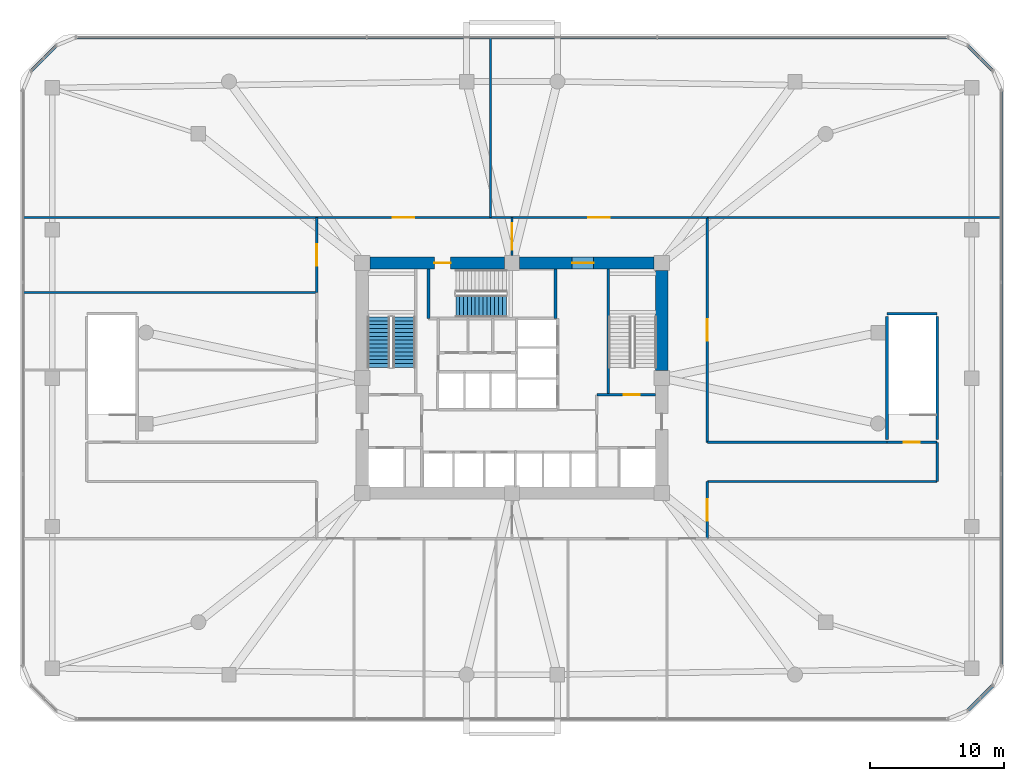
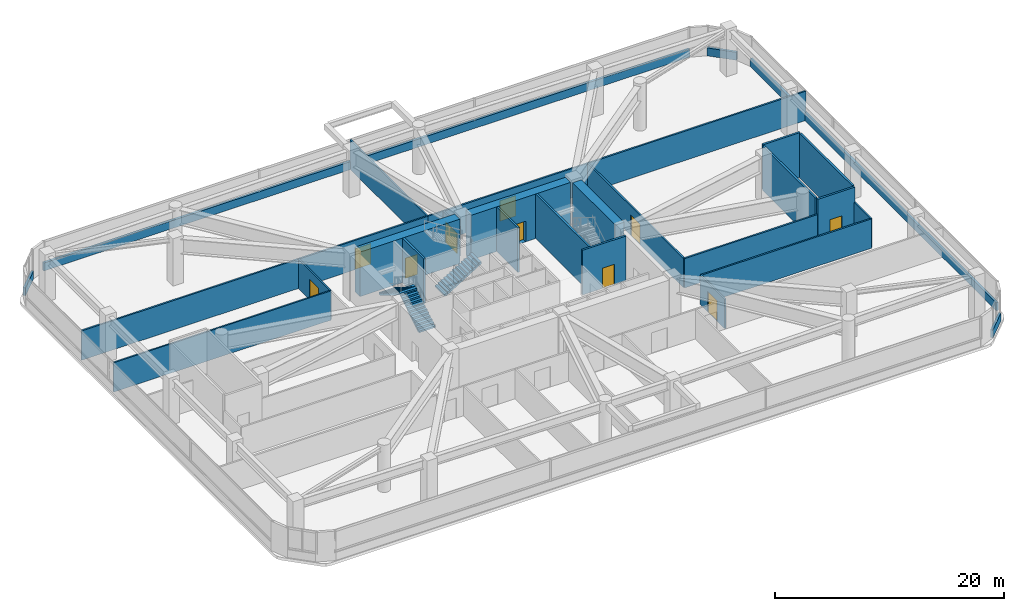
# One storey, part 18 of 21: 29 walls, 10 doors, 3 stair flights, 10 openings, 2 elements without a shape of their own.
"""IFC4 building model written with IfcOpenShell, lengths in metres."""

from ifc_helpers import new_model, si_unit, derived_unit, direction, frame, frame_2d, origin, place, context, subcontext, project, spatial, polyline, rectangle, outline, extrude, material, layer, layer_set, type_object, element, fill, aggregate, save


model = new_model("IFC4")

# Units and contexts
model_context = context("Model", 3, precision=1e-05, world=origin(), true_north=direction((0.0, 1.0)))
body_context = subcontext(model_context, "Body", "Model", "MODEL_VIEW")
ifc_project = project(units=[si_unit("LENGTHUNIT", "METRE"), si_unit("AREAUNIT", "SQUARE_METRE"), si_unit("VOLUMEUNIT", "CUBIC_METRE"), si_unit("PLANEANGLEUNIT", "RADIAN"), si_unit("MASSUNIT", "GRAM", prefix="KILO"), derived_unit("THERMALTRANSMITTANCEUNIT", [(si_unit("POWERUNIT", "WATT"), 1), (si_unit("LENGTHUNIT", "METRE"), -2), (si_unit("THERMODYNAMICTEMPERATUREUNIT", "KELVIN"), -1)])], contexts=[model_context])

# Site, building, storey
site_placement = place(None, origin())
site = spatial("IfcSite", under=ifc_project, at=site_placement, CompositionType="ELEMENT")
building_placement = place(site_placement, origin())
building = spatial("IfcBuilding", under=site, at=building_placement, Name="Koralith Skygarden Medical Center", CompositionType="ELEMENT")
storey_placement = place(building_placement, frame((0.0, 0.0, 18.89990234375)))
storey = spatial("IfcBuildingStorey", under=building, at=storey_placement, Name="L04", CompositionType="ELEMENT", Elevation=18.89990234375)

# Walls
ifc_material_1 = material(Name="Gypsum Board Partition")
ifc_layer_1 = layer(ifc_material_1, 0.14990234375)
ifc_layer_set_1 = layer_set([ifc_layer_1], Name="Gypsum Board Partition")
wall_type_1 = type_object("IfcWallType", Name="Clinical Acoustic Partition 150", PredefinedType="PARTITIONING", material=ifc_layer_set_1)
wall_1_placement = place(storey_placement, frame((35.39990234375, 37.909912109375, 0.0), z_axis=(0.0, 0.0, 1.0), x_axis=(0.0, 1.0, 0.0)))
element("IfcWall", 1, at=wall_1_placement, inside=storey, type_object=wall_type_1, Name="L04 Clinical Acoustic Partition 150 W-PDPART-L04-N-1", PredefinedType="PARTITIONING", context=body_context, shape_type="SweptSolid", body=[
    extrude(rectangle(XDim=13.4501953125, YDim=0.14990234375, at=frame_2d((6.72509765625, 0.0))), origin(), (0.0, 0.0, 1.0), 3.130126953125),
])
wall_2_placement = place(storey_placement, frame((22.389892578125, 32.300048828125, 0.0), z_axis=(0.0, 0.0, 1.0), x_axis=(-1.0, 0.0, 0.0)))
element("IfcWall", 2, at=wall_2_placement, inside=storey, type_object=wall_type_1, Name="L04 Clinical Acoustic Partition 150 W-PDPART-L04-W-NF2", PredefinedType="PARTITIONING", context=body_context, shape_type="SweptSolid", body=[
    extrude(rectangle(XDim=21.949951171875, YDim=0.14990234375, at=frame_2d((10.97509765625, 0.0))), origin(), (0.0, 0.0, 1.0), 3.130126953125),
])
ifc_layer_2 = layer(ifc_material_1, 0.1650390625)
ifc_layer_set_2 = layer_set([ifc_layer_2], Name="Gypsum Board Partition")
wall_type_2 = type_object("IfcWallType", Name="Clinical Corridor Partition 165", PredefinedType="PARTITIONING", material=ifc_layer_set_2)
for number, where, z_axis, x_axis, name in (
    (3, (0.43994140625, 37.909912109375, 0.0), (0.0, 0.0, 1.0), (1.0, 0.0, 0.0), "L04 Clinical Corridor Partition 165 W-WB-L04-NW"),
    (4, (51.610107421875, 37.909912109375, 0.0), (0.0, 0.0, 1.0), (1.0, 0.0, 0.0), "L04 Clinical Corridor Partition 165 W-WB-L04-NE"),
):
    element("IfcWall", number, at=place(storey_placement, frame(where, z_axis=z_axis, x_axis=x_axis)), inside=storey, type_object=wall_type_2, Name=name, PredefinedType="PARTITIONING", context=body_context, shape_type="SweptSolid", body=[
        extrude(rectangle(XDim=21.949951171875, YDim=0.1650390625, at=frame_2d((10.97509765625, 0.0))), origin(), (0.0, 0.0, 1.0), 3.130126953125),
    ])
wall_3_placement = place(storey_placement, frame((51.610107421875, 18.169921875, 0.0), z_axis=(0.0, 0.0, 1.0), x_axis=(1.0, 0.0, 0.0)))
element("IfcWall", 5, at=wall_3_placement, inside=storey, type_object=wall_type_2, Name="L04 Clinical Corridor Partition 165 W-PARM-L04-ES", PredefinedType="PARTITIONING", context=body_context, shape_type="SweptSolid", body=[
    extrude(rectangle(XDim=17.18994140625, YDim=0.1650390625, at=frame_2d((8.594970703125, 0.0))), origin(), (0.0, 0.0, 1.0), 3.130126953125),
])
wall_4_placement = place(storey_placement, frame((68.800048828125, 18.169921875, 0.0), z_axis=(0.0, 0.0, 1.0), x_axis=(0.0, 1.0, 0.0)))
element("IfcWall", 6, at=wall_4_placement, inside=storey, type_object=wall_type_2, Name="L04 Clinical Corridor Partition 165 W-PARM-L04-EE", PredefinedType="PARTITIONING", context=body_context, shape_type="SweptSolid", body=[
    extrude(rectangle(XDim=2.93017578125, YDim=0.1650390625, at=frame_2d((1.465087890625, 0.0))), origin(), (0.0, 0.0, 1.0), 3.130126953125),
])
wall_5_placement = place(storey_placement, frame((51.610107421875, 21.10009765625, 0.0), z_axis=(0.0, 0.0, 1.0), x_axis=(1.0, 0.0, 0.0)))
element("IfcWall", 7, at=wall_5_placement, inside=storey, type_object=wall_type_2, Name="L04 Clinical Corridor Partition 165 W-PARM-L04-EN", PredefinedType="PARTITIONING", context=body_context, shape_type="SweptSolid", body=[
    extrude(rectangle(XDim=13.43994140625, YDim=0.1650390625, at=frame_2d((6.719970703125, 0.0))), origin(), (0.0, 0.0, 1.0), 3.130126953125),
])

# Wall, opening, door
wall_6_placement = place(storey_placement, frame((22.389892578125, 37.909912109375, 0.0), z_axis=(0.0, 0.0, 1.0), x_axis=(1.0, 0.0, 0.0)))
wall_6 = element("IfcWall", 8, at=wall_6_placement, inside=storey, type_object=wall_type_2, Name="L04 Clinical Corridor Partition 165 W-PDCOR-L04-N-1", PredefinedType="PARTITIONING", context=body_context, shape_type="SweptSolid", body=[
    extrude(rectangle(XDim=13.010009765625, YDim=0.1650390625, at=frame_2d((6.5048828125, 0.0))), origin(), (0.0, 0.0, 1.0), 3.130126953125),
])
opening_1_placement = place(wall_6_placement, frame((5.705078125, 0.0, 0.0)))
opening_1 = element("IfcOpeningElement", 9, at=opening_1_placement, cuts=wall_6, Name="Opening D-DBL", PredefinedType="OPENING", context=body_context, shape_type="SweptSolid", body=[
    extrude(rectangle(XDim=1.60009765625, YDim=2.199951171875, at=frame_2d((0.800048828125, 1.10009765625))), frame((0.0, 0.092529296875, 0.0), z_axis=(0.0, -1.0, 0.0), x_axis=(1.0, 0.0, 0.0)), (0.0, 0.0, 1.0), 0.18505859375),
])
ifc_material_2 = material(Name="Aluminium 6063-T6", Category="aluminium")
door_type_1 = type_object("IfcDoorType", Name="Double Clinical Suite Door D-DBL 1600", OperationType="NOTDEFINED", PredefinedType="DOOR", material=ifc_material_2)
door_1_placement = place(opening_1_placement, origin())
door_1 = element("IfcDoor", 10, at=door_1_placement, inside=storey, type_object=door_type_1, Name="L04 Hybrid Image-Guided Operating Hall 1 Door", OperationType="DOUBLE_DOOR_SINGLE_SWING", OverallHeight=2.199951171875, OverallWidth=1.60009765625, PredefinedType="DOOR", context=body_context, shape_type="SweptSolid", body=[
    extrude(rectangle(XDim=1.60009765625, YDim=2.199951171875, at=frame_2d((0.800048828125, 1.10009765625))), frame((0.0, 0.02490234375, 0.0), z_axis=(0.0, -1.0, 0.0), x_axis=(1.0, 0.0, 0.0)), (0.0, 0.0, 1.0), 0.050048828125),
])
fill(opening_1, door_1)

wall_7_placement = place(storey_placement, frame((35.39990234375, 37.909912109375, 0.0), z_axis=(0.0, 0.0, 1.0), x_axis=(1.0, 0.0, 0.0)))
wall_7 = element("IfcWall", 11, at=wall_7_placement, inside=storey, type_object=wall_type_2, Name="L04 Clinical Corridor Partition 165 W-PDCOR-L04-N-2", PredefinedType="PARTITIONING", context=body_context, shape_type="SweptSolid", body=[
    extrude(rectangle(XDim=16.210205078125, YDim=0.1650390625, at=frame_2d((8.10498046875, 0.0))), origin(), (0.0, 0.0, 1.0), 3.130126953125),
])
opening_2_placement = place(wall_7_placement, frame((7.304931640625, 0.0, 0.0)))
opening_2 = element("IfcOpeningElement", 12, at=opening_2_placement, cuts=wall_7, Name="Opening D-DBL", PredefinedType="OPENING", context=body_context, shape_type="SweptSolid", body=[
    extrude(rectangle(XDim=1.60009765625, YDim=2.199951171875, at=frame_2d((0.800048828125, 1.10009765625))), frame((0.0, 0.092529296875, 0.0), z_axis=(0.0, -1.0, 0.0), x_axis=(1.0, 0.0, 0.0)), (0.0, 0.0, 1.0), 0.18505859375),
])
door_2_placement = place(opening_2_placement, origin())
door_2 = element("IfcDoor", 13, at=door_2_placement, inside=storey, type_object=door_type_1, Name="L04 Hybrid Image-Guided Operating Hall 2 Door", OperationType="DOUBLE_DOOR_SINGLE_SWING", OverallHeight=2.199951171875, OverallWidth=1.60009765625, PredefinedType="DOOR", context=body_context, shape_type="SweptSolid", body=[
    extrude(rectangle(XDim=1.60009765625, YDim=2.199951171875, at=frame_2d((0.800048828125, 1.10009765625))), frame((0.0, 0.02490234375, 0.0), z_axis=(0.0, -1.0, 0.0), x_axis=(1.0, 0.0, 0.0)), (0.0, 0.0, 1.0), 0.050048828125),
])
fill(opening_2, door_2)

wall_8_placement = place(storey_placement, frame((22.389892578125, 32.300048828125, 0.0), z_axis=(0.0, 0.0, 1.0), x_axis=(0.0, 1.0, 0.0)))
wall_8 = element("IfcWall", 14, at=wall_8_placement, inside=storey, type_object=wall_type_2, Name="L04 Clinical Corridor Partition 165 W-PDCOR-L04-W-4", PredefinedType="PARTITIONING", context=body_context, shape_type="SweptSolid", body=[
    extrude(rectangle(XDim=5.60986328125, YDim=0.1650390625, at=frame_2d((2.804931640625, 0.0))), origin(), (0.0, 0.0, 1.0), 3.130126953125),
])
opening_3_placement = place(wall_8_placement, frame((2.0048828125, 0.0, 0.0)))
opening_3 = element("IfcOpeningElement", 15, at=opening_3_placement, cuts=wall_8, Name="Opening D-DBL", PredefinedType="OPENING", context=body_context, shape_type="SweptSolid", body=[
    extrude(rectangle(XDim=1.60009765625, YDim=2.199951171875, at=frame_2d((0.800048828125, 1.10009765625))), frame((0.0, 0.092529296875, 0.0), z_axis=(0.0, -1.0, 0.0), x_axis=(1.0, 0.0, 0.0)), (0.0, 0.0, 1.0), 0.18505859375),
])
door_3_placement = place(opening_3_placement, frame((1.60009765625, 0.0, 0.0), z_axis=(0.0, 0.0, 1.0), x_axis=(-1.0, 0.0, 0.0)))
door_3 = element("IfcDoor", 16, at=door_3_placement, inside=storey, type_object=door_type_1, Name="L04 Surgical Pathology Frozen-Section Lab Door", OperationType="DOUBLE_DOOR_SINGLE_SWING", OverallHeight=2.199951171875, OverallWidth=1.60009765625, PredefinedType="DOOR", context=body_context, shape_type="SweptSolid", body=[
    extrude(rectangle(XDim=1.60009765625, YDim=2.199951171875, at=frame_2d((0.800048828125, 1.10009765625))), frame((0.0, 0.02490234375, 0.0), z_axis=(0.0, -1.0, 0.0), x_axis=(1.0, 0.0, 0.0)), (0.0, 0.0, 1.0), 0.050048828125),
])
fill(opening_3, door_3)

wall_9_placement = place(storey_placement, frame((51.610107421875, 13.889892578125, 0.0), z_axis=(0.0, 0.0, 1.0), x_axis=(0.0, 1.0, 0.0)))
wall_9 = element("IfcWall", 17, at=wall_9_placement, inside=storey, type_object=wall_type_2, Name="L04 Clinical Corridor Partition 165 W-PDCOR-L04-E-1", PredefinedType="PARTITIONING", context=body_context, shape_type="SweptSolid", body=[
    extrude(rectangle(XDim=4.280029296875, YDim=0.1650390625, at=frame_2d((2.14013671875, 0.0))), origin(), (0.0, 0.0, 1.0), 3.130126953125),
])
opening_4_placement = place(wall_9_placement, frame((1.340087890625, 0.0, 0.0)))
opening_4 = element("IfcOpeningElement", 18, at=opening_4_placement, cuts=wall_9, Name="Opening D-DBL", PredefinedType="OPENING", context=body_context, shape_type="SweptSolid", body=[
    extrude(rectangle(XDim=1.60009765625, YDim=2.199951171875, at=frame_2d((0.800048828125, 1.10009765625))), frame((0.0, 0.092529296875, 0.0), z_axis=(0.0, -1.0, 0.0), x_axis=(1.0, 0.0, 0.0)), (0.0, 0.0, 1.0), 0.18505859375),
])
door_4_placement = place(opening_4_placement, origin())
door_4 = element("IfcDoor", 19, at=door_4_placement, inside=storey, type_object=door_type_1, Name="L04 General Surgical Operating Room 6 Door", OperationType="DOUBLE_DOOR_SINGLE_SWING", OverallHeight=2.199951171875, OverallWidth=1.60009765625, PredefinedType="DOOR", context=body_context, shape_type="SweptSolid", body=[
    extrude(rectangle(XDim=1.60009765625, YDim=2.199951171875, at=frame_2d((0.800048828125, 1.10009765625))), frame((0.0, 0.02490234375, 0.0), z_axis=(0.0, -1.0, 0.0), x_axis=(1.0, 0.0, 0.0)), (0.0, 0.0, 1.0), 0.050048828125),
])
fill(opening_4, door_4)

wall_10_placement = place(storey_placement, frame((51.610107421875, 21.10009765625, 0.0), z_axis=(0.0, 0.0, 1.0), x_axis=(0.0, 1.0, 0.0)))
wall_10 = element("IfcWall", 20, at=wall_10_placement, inside=storey, type_object=wall_type_2, Name="L04 Clinical Corridor Partition 165 W-PDCOR-L04-E-2", PredefinedType="PARTITIONING", context=body_context, shape_type="SweptSolid", body=[
    extrude(rectangle(XDim=16.809814453125, YDim=0.1650390625, at=frame_2d((8.40478515625, 0.0))), origin(), (0.0, 0.0, 1.0), 3.130126953125),
])
opening_5_placement = place(wall_10_placement, frame((7.60498046875, 0.0, 0.0)))
opening_5 = element("IfcOpeningElement", 21, at=opening_5_placement, cuts=wall_10, Name="Opening D-DBL", PredefinedType="OPENING", context=body_context, shape_type="SweptSolid", body=[
    extrude(rectangle(XDim=1.60009765625, YDim=2.199951171875, at=frame_2d((0.800048828125, 1.10009765625))), frame((0.0, 0.092529296875, 0.0), z_axis=(0.0, -1.0, 0.0), x_axis=(1.0, 0.0, 0.0)), (0.0, 0.0, 1.0), 0.18505859375),
])
door_5_placement = place(opening_5_placement, origin())
door_5 = element("IfcDoor", 22, at=door_5_placement, inside=storey, type_object=door_type_1, Name="L04 Surgical Pre-Operative Holding Ward Door", OperationType="DOUBLE_DOOR_SINGLE_SWING", OverallHeight=2.199951171875, OverallWidth=1.60009765625, PredefinedType="DOOR", context=body_context, shape_type="SweptSolid", body=[
    extrude(rectangle(XDim=1.60009765625, YDim=2.199951171875, at=frame_2d((0.800048828125, 1.10009765625))), frame((0.0, 0.02490234375, 0.0), z_axis=(0.0, -1.0, 0.0), x_axis=(1.0, 0.0, 0.0)), (0.0, 0.0, 1.0), 0.050048828125),
])
fill(opening_5, door_5)

ifc_layer_3 = layer(ifc_material_1, 0.179931640625)
ifc_layer_set_3 = layer_set([ifc_layer_3], Name="Gypsum Board Partition")
wall_type_3 = type_object("IfcWallType", Name="Group I-2 Smoke Barrier Wall 180", PredefinedType="PARTITIONING", material=ifc_layer_set_3)
wall_11_placement = place(storey_placement, frame((37.0, 35.080078125, 0.0), z_axis=(0.0, 0.0, 1.0), x_axis=(0.0, 1.0, 0.0)))
wall_11 = element("IfcWall", 23, at=wall_11_placement, inside=storey, type_object=wall_type_3, Name="L04 Group I-2 Smoke Barrier Wall 180 W-PSMK-L04-N", PredefinedType="PARTITIONING", context=body_context, shape_type="SweptSolid", body=[
    extrude(rectangle(XDim=2.829833984375, YDim=0.179931640625, at=frame_2d((1.4150390625, 0.0))), origin(), (0.0, 0.0, 1.0), 3.130126953125),
])
opening_6_placement = place(wall_11_placement, frame((0.4150390625, 0.0, 0.0)))
opening_6 = element("IfcOpeningElement", 24, at=opening_6_placement, cuts=wall_11, Name="Opening D-SMK", PredefinedType="OPENING", context=body_context, shape_type="SweptSolid", body=[
    extrude(rectangle(XDim=2.0, YDim=2.199951171875, at=frame_2d((1.0, 1.10009765625))), frame((0.0, 0.099853515625, 0.0), z_axis=(0.0, -1.0, 0.0), x_axis=(1.0, 0.0, 0.0)), (0.0, 0.0, 1.0), 0.199951171875),
])
ifc_material_3 = material(Name="Steel ASTM A500 Grade C", Category="steel")
door_type_2 = type_object("IfcDoorType", Name="Cross-Corridor Double Smoke Door FD60S 2000", OperationType="NOTDEFINED", PredefinedType="DOOR", material=ifc_material_3)
door_6_placement = place(opening_6_placement, origin())
door_6 = element("IfcDoor", 25, at=door_6_placement, inside=storey, type_object=door_type_2, Name="L04 N Podium Smoke Door", OperationType="DOUBLE_DOOR_SINGLE_SWING", OverallHeight=2.199951171875, OverallWidth=2.0, PredefinedType="DOOR", context=body_context, shape_type="SweptSolid", body=[
    extrude(rectangle(XDim=2.0, YDim=2.199951171875, at=frame_2d((1.0, 1.10009765625))), frame((0.0, 0.02490234375, 0.0), z_axis=(0.0, -1.0, 0.0), x_axis=(1.0, 0.0, 0.0)), (0.0, 0.0, 1.0), 0.050048828125),
])
fill(opening_6, door_6)

# Walls
ifc_material_4 = material(Name="Warm Oolitic Limestone Cladding", Category="masonry")
ifc_layer_4 = layer(ifc_material_4, 0.239990234375)
ifc_layer_set_4 = layer_set([ifc_layer_4], Name="Warm Oolitic Limestone Cladding")
wall_type_4 = type_object("IfcWallType", Name="Limestone Spandrel Sill Backup Wall 240", PredefinedType="SOLIDWALL", material=ifc_layer_set_4)
wall_12_placement = place(storey_placement, frame((71.072021484375, 1.02099609375, 0.0), z_axis=(0.0, 0.0, 1.0), x_axis=(0.707106781187, 0.707106781187, 0.0)))
element("IfcWall", 26, at=wall_12_placement, inside=storey, type_object=wall_type_4, Name="L04 Sill Spandrel Wall SE", PredefinedType="SOLIDWALL", context=body_context, shape_type="SweptSolid", body=[
    extrude(rectangle(XDim=2.69677734375, YDim=0.239990234375, at=frame_2d((1.348388671875, 0.0))), origin(), (0.0, 0.0, 1.0), 0.85009765625),
])
wall_13_placement = place(storey_placement, frame((73.580078125, 4.37890625, 0.0), z_axis=(0.0, 0.0, 1.0), x_axis=(0.0, 1.0, 0.0)))
element("IfcWall", 27, at=wall_13_placement, inside=storey, type_object=wall_type_4, Name="L04 Sill Spandrel Wall E", PredefinedType="SOLIDWALL", context=body_context, shape_type="SweptSolid", body=[
    extrude(rectangle(XDim=43.0419921875, YDim=0.239990234375, at=frame_2d((21.52099609375, 0.0))), origin(), (0.0, 0.0, 1.0), 0.85009765625),
])
wall_14_placement = place(storey_placement, frame((72.97900390625, 48.8720703125, 0.0), z_axis=(0.0, 0.0, 1.0), x_axis=(-0.707106781187, 0.707106781187, 0.0)))
element("IfcWall", 28, at=wall_14_placement, inside=storey, type_object=wall_type_4, Name="L04 Sill Spandrel Wall NE", PredefinedType="SOLIDWALL", context=body_context, shape_type="SweptSolid", body=[
    extrude(rectangle(XDim=2.69677734375, YDim=0.239990234375, at=frame_2d((1.348388671875, 0.0))), origin(), (0.0, 0.0, 1.0), 0.85009765625),
])
wall_15_placement = place(storey_placement, frame((69.62109375, 51.3798828125, 0.0), z_axis=(0.0, 0.0, 1.0), x_axis=(-1.0, 0.0, 0.0)))
element("IfcWall", 29, at=wall_15_placement, inside=storey, type_object=wall_type_4, Name="L04 Sill Spandrel Wall N", PredefinedType="SOLIDWALL", context=body_context, shape_type="SweptSolid", body=[
    extrude(rectangle(XDim=65.2421875, YDim=0.239990234375, at=frame_2d((32.62109375, 0.0))), origin(), (0.0, 0.0, 1.0), 0.85009765625),
])
wall_16_placement = place(storey_placement, frame((2.927978515625, 50.779052734375, 0.0), z_axis=(0.0, 0.0, 1.0), x_axis=(-0.707106781187, -0.707106781187, 0.0)))
element("IfcWall", 30, at=wall_16_placement, inside=storey, type_object=wall_type_4, Name="L04 Sill Spandrel Wall NW", PredefinedType="SOLIDWALL", context=body_context, shape_type="SweptSolid", body=[
    extrude(rectangle(XDim=2.69677734375, YDim=0.239990234375, at=frame_2d((1.348388671875, 0.0))), origin(), (0.0, 0.0, 1.0), 0.85009765625),
])
ifc_material_5 = material(Name="Concrete C70/85", Category="concrete")
ifc_layer_5 = layer(ifc_material_5, 0.89990234375)
ifc_layer_set_5 = layer_set([ifc_layer_5], Name="Concrete C70/85")
wall_type_5 = type_object("IfcWallType", Name="Lower Core Shear Wall 900", PredefinedType="SHEAR", material=ifc_layer_set_5)
wall_17_placement = place(storey_placement, frame((48.199951171875, 26.465087890625, 0.0), z_axis=(0.0, 0.0, 1.0), x_axis=(0.0, 1.0, 0.0)))
element("IfcWall", 31, at=wall_17_placement, inside=storey, type_object=wall_type_5, Name="L04 Core Shear Wall Segment 4", PredefinedType="SHEAR", context=body_context, shape_type="SweptSolid", body=[
    extrude(rectangle(XDim=7.469970703125, YDim=0.89990234375, at=frame_2d((3.73486328125, 0.0))), origin(), (0.0, 0.0, 1.0), 4.760009765625),
])

# Wall, opening, door
wall_18_placement = place(storey_placement, frame((47.635009765625, 34.5, 0.0), z_axis=(0.0, 0.0, 1.0), x_axis=(-1.0, 0.0, 0.0)))
wall_18 = element("IfcWall", 32, at=wall_18_placement, inside=storey, type_object=wall_type_5, Name="L04 Core Shear Wall Segment 5", PredefinedType="SHEAR", context=body_context, shape_type="SweptSolid", body=[
    extrude(rectangle(XDim=10.070068359375, YDim=0.89990234375, at=frame_2d((5.03515625, 0.0))), origin(), (0.0, 0.0, 1.0), 4.760009765625),
])
opening_7_placement = place(wall_18_placement, frame((4.534912109375, 0.0, 0.0)))
opening_7 = element("IfcOpeningElement", 33, at=opening_7_placement, cuts=wall_18, Name="Opening D-DBL", PredefinedType="OPENING", context=body_context, shape_type="SweptSolid", body=[
    extrude(rectangle(XDim=1.60009765625, YDim=2.199951171875, at=frame_2d((0.800048828125, 1.10009765625))), frame((0.0, 0.4599609375, 0.0), z_axis=(0.0, -1.0, 0.0), x_axis=(1.0, 0.0, 0.0)), (0.0, 0.0, 1.0), 0.919921875),
])
door_7_placement = place(opening_7_placement, frame((1.60009765625, 0.0, 0.0), z_axis=(0.0, 0.0, 1.0), x_axis=(-1.0, 0.0, 0.0)))
door_7 = element("IfcDoor", 34, at=door_7_placement, inside=storey, type_object=door_type_1, Name="L04 North-East Corridor to Elevator Lobby Door", OperationType="DOUBLE_DOOR_SINGLE_SWING", OverallHeight=2.199951171875, OverallWidth=1.60009765625, PredefinedType="DOOR", context=body_context, shape_type="SweptSolid", body=[
    extrude(rectangle(XDim=1.60009765625, YDim=2.199951171875, at=frame_2d((0.800048828125, 1.10009765625))), frame((0.0, 0.02490234375, 0.0), z_axis=(0.0, -1.0, 0.0), x_axis=(1.0, 0.0, 0.0)), (0.0, 0.0, 1.0), 0.050048828125),
])
fill(opening_7, door_7)

wall_19_placement = place(storey_placement, frame((36.43505859375, 34.5, 0.0), z_axis=(0.0, 0.0, 1.0), x_axis=(-1.0, 0.0, 0.0)))
wall_19 = element("IfcWall", 35, at=wall_19_placement, inside=storey, type_object=wall_type_5, Name="L04 Core Shear Wall Segment 6", PredefinedType="SHEAR", context=body_context, shape_type="SweptSolid", body=[
    extrude(rectangle(XDim=10.070068359375, YDim=0.89990234375, at=frame_2d((5.03515625, 0.0))), origin(), (0.0, 0.0, 1.0), 4.760009765625),
])
opening_8_placement = place(wall_19_placement, frame((4.034912109375, 0.0, 0.0)))
opening_8 = element("IfcOpeningElement", 36, at=opening_8_placement, cuts=wall_19, Name="Opening D-ST60", PredefinedType="OPENING", context=body_context, shape_type="SweptSolid", body=[
    extrude(rectangle(XDim=1.199951171875, YDim=2.14990234375, at=frame_2d((0.60009765625, 1.074951171875))), frame((0.0, 0.4599609375, 0.0), z_axis=(0.0, -1.0, 0.0), x_axis=(1.0, 0.0, 0.0)), (0.0, 0.0, 1.0), 0.919921875),
])
door_type_3 = type_object("IfcDoorType", Name="Smokeproof Stair Fire Door FD60S 1200", OperationType="NOTDEFINED", PredefinedType="DOOR", material=ifc_material_3)
door_8_placement = place(opening_8_placement, frame((1.199951171875, 0.0, 0.0), z_axis=(0.0, 0.0, 1.0), x_axis=(-1.0, 0.0, 0.0)))
door_8 = element("IfcDoor", 37, at=door_8_placement, inside=storey, type_object=door_type_3, Name="L04 Exit Stair ST3 Fire Door", OperationType="SINGLE_SWING_LEFT", OverallHeight=2.14990234375, OverallWidth=1.199951171875, PredefinedType="DOOR", context=body_context, shape_type="SweptSolid", body=[
    extrude(rectangle(XDim=1.199951171875, YDim=2.14990234375, at=frame_2d((0.60009765625, 1.074951171875))), frame((0.0, 0.02490234375, 0.0), z_axis=(0.0, -1.0, 0.0), x_axis=(1.0, 0.0, 0.0)), (0.0, 0.0, 1.0), 0.050048828125),
])
fill(opening_8, door_8)

# Wall
ifc_material_6 = material(Name="Concrete C45/55", Category="concrete")
ifc_layer_6 = layer(ifc_material_6, 0.199951171875)
ifc_layer_set_6 = layer_set([ifc_layer_6], Name="Concrete C45/55")
wall_type_6 = type_object("IfcWallType", Name="Structural Stair Shaft Wall 200", PredefinedType="SHEAR", material=ifc_layer_set_6)
wall_20_placement = place(storey_placement, frame((44.199951171875, 24.64990234375, 0.0), z_axis=(0.0, 0.0, 1.0), x_axis=(0.0, 1.0, 0.0)))
element("IfcWall", 38, at=wall_20_placement, inside=storey, type_object=wall_type_6, Name="L04 Structural Stair Shaft Wall 200 W-CORE-L04-ST2-W", PredefinedType="SHEAR", context=body_context, shape_type="SweptSolid", body=[
    extrude(rectangle(XDim=9.400146484375, YDim=0.199951171875, at=frame_2d((4.7001953125, 0.0))), origin(), (0.0, 0.0, 1.0), 4.760009765625),
])

# Wall, opening, door
wall_21_placement = place(storey_placement, frame((43.35009765625, 24.64990234375, 0.0), z_axis=(0.0, 0.0, 1.0), x_axis=(1.0, 0.0, 0.0)))
wall_21 = element("IfcWall", 39, at=wall_21_placement, inside=storey, type_object=wall_type_6, Name="L04 Structural Stair Shaft Wall 200 W-CORE-L04-ST2-S", PredefinedType="SHEAR", context=body_context, shape_type="SweptSolid", body=[
    extrude(rectangle(XDim=4.39990234375, YDim=0.199951171875, at=frame_2d((2.199951171875, 0.0))), origin(), (0.0, 0.0, 1.0), 4.760009765625),
])
opening_9_placement = place(wall_21_placement, frame((2.0, 0.0, 0.0)))
opening_9 = element("IfcOpeningElement", 40, at=opening_9_placement, cuts=wall_21, Name="Opening D-ST60", PredefinedType="OPENING", context=body_context, shape_type="SweptSolid", body=[
    extrude(rectangle(XDim=1.199951171875, YDim=2.14990234375, at=frame_2d((0.60009765625, 1.074951171875))), frame((0.0, 0.10986328125, 0.0), z_axis=(0.0, -1.0, 0.0), x_axis=(1.0, 0.0, 0.0)), (0.0, 0.0, 1.0), 0.219970703125),
])
door_9_placement = place(opening_9_placement, origin())
door_9 = element("IfcDoor", 41, at=door_9_placement, inside=storey, type_object=door_type_3, Name="L04 Exit Stair ST2 Fire Door", OperationType="SINGLE_SWING_RIGHT", OverallHeight=2.14990234375, OverallWidth=1.199951171875, PredefinedType="DOOR", context=body_context, shape_type="SweptSolid", body=[
    extrude(rectangle(XDim=1.199951171875, YDim=2.14990234375, at=frame_2d((0.60009765625, 1.074951171875))), frame((0.0, 0.02490234375, 0.0), z_axis=(0.0, -1.0, 0.0), x_axis=(1.0, 0.0, 0.0)), (0.0, 0.0, 1.0), 0.050048828125),
])
fill(opening_9, door_9)

# Walls
for number, where, z_axis, x_axis, name in (
    (42, (30.75, 30.360107421875, 0.0), (0.0, 0.0, 1.0), (0.0, 1.0, 0.0), "L04 Structural Stair Shaft Wall 200 W-CORE-L04-ST3-W"),
    (43, (40.25, 30.360107421875, 0.0), (0.0, 0.0, 1.0), (0.0, 1.0, 0.0), "L04 Structural Stair Shaft Wall 200 W-CORE-L04-ST3-E"),
):
    element("IfcWall", number, at=place(storey_placement, frame(where, z_axis=z_axis, x_axis=x_axis)), inside=storey, type_object=wall_type_6, Name=name, PredefinedType="SHEAR", context=body_context, shape_type="SweptSolid", body=[
        extrude(rectangle(XDim=3.68994140625, YDim=0.199951171875, at=frame_2d((1.844970703125, 0.0))), origin(), (0.0, 0.0, 1.0), 4.760009765625),
    ])

# Wall, opening, door
wall_22_placement = place(storey_placement, frame((65.050048828125, 21.10009765625, 0.0), z_axis=(0.0, 0.0, 1.0), x_axis=(1.0, 0.0, 0.0)))
wall_22 = element("IfcWall", 44, at=wall_22_placement, inside=storey, type_object=wall_type_6, Name="L04 Structural Stair Shaft Wall 200 W-ST5-L04-S", PredefinedType="SHEAR", context=body_context, shape_type="SweptSolid", body=[
    extrude(rectangle(XDim=3.75, YDim=0.199951171875, at=frame_2d((1.875, 0.0))), origin(), (0.0, 0.0, 1.0), 4.760009765625),
])
opening_10_placement = place(wall_22_placement, frame((1.25, 0.0, 0.0)))
opening_10 = element("IfcOpeningElement", 45, at=opening_10_placement, cuts=wall_22, Name="Opening D-ST60", PredefinedType="OPENING", context=body_context, shape_type="SweptSolid", body=[
    extrude(rectangle(XDim=1.199951171875, YDim=2.14990234375, at=frame_2d((0.60009765625, 1.074951171875))), frame((0.0, 0.10986328125, 0.0), z_axis=(0.0, -1.0, 0.0), x_axis=(1.0, 0.0, 0.0)), (0.0, 0.0, 1.0), 0.219970703125),
])
door_10_placement = place(opening_10_placement, origin())
door_10 = element("IfcDoor", 46, at=door_10_placement, inside=storey, type_object=door_type_3, Name="L04 Exit Stair ST5 Fire Door", OperationType="SINGLE_SWING_RIGHT", OverallHeight=2.14990234375, OverallWidth=1.199951171875, PredefinedType="DOOR", context=body_context, shape_type="SweptSolid", body=[
    extrude(rectangle(XDim=1.199951171875, YDim=2.14990234375, at=frame_2d((0.60009765625, 1.074951171875))), frame((0.0, 0.02490234375, 0.0), z_axis=(0.0, -1.0, 0.0), x_axis=(1.0, 0.0, 0.0)), (0.0, 0.0, 1.0), 0.050048828125),
])
fill(opening_10, door_10)

# Walls
wall_23_placement = place(storey_placement, frame((65.050048828125, 30.699951171875, 0.0), z_axis=(0.0, 0.0, 1.0), x_axis=(1.0, 0.0, 0.0)))
element("IfcWall", 47, at=wall_23_placement, inside=storey, type_object=wall_type_6, Name="L04 Structural Stair Shaft Wall 200 W-ST5-L04-N", PredefinedType="SHEAR", context=body_context, shape_type="SweptSolid", body=[
    extrude(rectangle(XDim=3.75, YDim=0.199951171875, at=frame_2d((1.875, 0.0))), origin(), (0.0, 0.0, 1.0), 4.760009765625),
])
for number, where, z_axis, x_axis, name in (
    (48, (65.050048828125, 21.300048828125, 0.0), (0.0, 0.0, 1.0), (0.0, 1.0, 0.0), "L04 Structural Stair Shaft Wall 200 W-ST5-L04-W"),
    (49, (68.800048828125, 21.300048828125, 0.0), (0.0, 0.0, 1.0), (0.0, 1.0, 0.0), "L04 Structural Stair Shaft Wall 200 W-ST5-L04-E"),
):
    element("IfcWall", number, at=place(storey_placement, frame(where, z_axis=z_axis, x_axis=x_axis)), inside=storey, type_object=wall_type_6, Name=name, PredefinedType="SHEAR", context=body_context, shape_type="SweptSolid", body=[
        extrude(rectangle(XDim=9.199951171875, YDim=0.199951171875, at=frame_2d((4.60009765625, 0.0))), origin(), (0.0, 0.0, 1.0), 4.760009765625),
    ])

# Stair, stair flights
stair_type = type_object("IfcStairType", Name="Core Exit Dogleg Concrete Stair", PredefinedType="HALF_TURN_STAIR", material=ifc_material_6)
stair_1_placement = place(storey_placement, origin())
stair_1 = element("IfcStair", 50, at=stair_1_placement, inside=storey, type_object=stair_type, Name="L04 Smokeproof Exit Stair ST1", PredefinedType="HALF_TURN_STAIR")
stair_flight_type = type_object("IfcStairFlightType", Name="Core Exit Concrete Stair Flight 1650", PredefinedType="STRAIGHT", material=ifc_material_6)
stair_flight_1_placement = place(storey_placement, frame((28.925048828125, 26.699951171875, 0.0), z_axis=(0.0, 0.0, 1.0), x_axis=(0.0, 1.0, 0.0)))
stair_flight_1 = element("IfcStairFlight", 51, at=stair_flight_1_placement, type_object=stair_flight_type, Name="ST1 flight 1", NumberOfRisers=14, NumberOfTreads=13, PredefinedType="STRAIGHT", RiserHeight=0.18, TreadLength=0.29, context=body_context, shape_type="SweptSolid", body=[
    extrude(outline(polyline([(0.0, 0.0), (0.0, 0.179931640625), (0.2900390625, 0.179931640625), (0.2900390625, 0.360107421875), (0.580078125, 0.360107421875), (0.580078125, 0.5400390625), (0.8701171875, 0.5400390625), (0.8701171875, 0.719970703125), (1.159912109375, 0.719970703125), (1.159912109375, 0.89990234375), (1.449951171875, 0.89990234375), (1.449951171875, 1.080078125), (1.739990234375, 1.080078125), (1.739990234375, 1.260009765625), (2.030029296875, 1.260009765625), (2.030029296875, 1.43994140625), (2.320068359375, 1.43994140625), (2.320068359375, 1.6201171875), (2.610107421875, 1.6201171875), (2.610107421875, 1.800048828125), (2.89990234375, 1.800048828125), (2.89990234375, 1.97998046875), (3.18994140625, 1.97998046875), (3.18994140625, 2.159912109375), (3.47998046875, 2.159912109375), (3.47998046875, 2.340087890625), (3.77001953125, 2.340087890625), (3.77001953125, 2.52001953125), (3.77001953125, 2.16357421875), (0.2841796875, 0.0), (0.0, 0.0)])), frame((0.0, 0.824951171875, 0.0), z_axis=(0.0, -1.0, 0.0), x_axis=(1.0, 0.0, 0.0)), (0.0, 0.0, 1.0), 1.64990234375),
])
stair_flight_2_placement = place(storey_placement, frame((27.02490234375, 30.469970703125, 2.52001953125), z_axis=(0.0, 0.0, 1.0), x_axis=(0.0, -1.0, 0.0)))
stair_flight_2 = element("IfcStairFlight", 52, at=stair_flight_2_placement, type_object=stair_flight_type, Name="ST1 flight 2", NumberOfRisers=14, NumberOfTreads=13, PredefinedType="STRAIGHT", RiserHeight=0.18, TreadLength=0.29, context=body_context, shape_type="SweptSolid", body=[
    extrude(outline(polyline([(0.0, 0.0), (0.0, 0.179931640625), (0.2900390625, 0.179931640625), (0.2900390625, 0.360107421875), (0.580078125, 0.360107421875), (0.580078125, 0.5400390625), (0.8701171875, 0.5400390625), (0.8701171875, 0.719970703125), (1.159912109375, 0.719970703125), (1.159912109375, 0.89990234375), (1.449951171875, 0.89990234375), (1.449951171875, 1.080078125), (1.739990234375, 1.080078125), (1.739990234375, 1.260009765625), (2.030029296875, 1.260009765625), (2.030029296875, 1.43994140625), (2.320068359375, 1.43994140625), (2.320068359375, 1.6201171875), (2.610107421875, 1.6201171875), (2.610107421875, 1.800048828125), (2.89990234375, 1.800048828125), (2.89990234375, 1.97998046875), (3.18994140625, 1.97998046875), (3.18994140625, 2.159912109375), (3.47998046875, 2.159912109375), (3.47998046875, 2.340087890625), (3.77001953125, 2.340087890625), (3.77001953125, 2.52001953125), (3.77001953125, 2.16357421875), (0.2841796875, 0.0), (0.0, 0.0)])), frame((0.0, 0.824951171875, 0.0), z_axis=(0.0, -1.0, 0.0), x_axis=(1.0, 0.0, 0.0)), (0.0, 0.0, 1.0), 1.64990234375),
])
aggregate(stair_1, [stair_flight_1, stair_flight_2])

# Stair, stair flight
stair_2_placement = place(storey_placement, origin())
stair_2 = element("IfcStair", 53, at=stair_2_placement, inside=storey, type_object=stair_type, Name="L04 Smokeproof Exit Stair ST3", PredefinedType="HALF_TURN_STAIR")
stair_flight_3_placement = place(storey_placement, frame((32.800048828125, 31.27490234375, 0.0), z_axis=(0.0, 0.0, 1.0), x_axis=(1.0, 0.0, 0.0)))
stair_flight_3 = element("IfcStairFlight", 54, at=stair_flight_3_placement, type_object=stair_flight_type, Name="ST3 flight 1", NumberOfRisers=14, NumberOfTreads=13, PredefinedType="STRAIGHT", RiserHeight=0.18, TreadLength=0.29, context=body_context, shape_type="SweptSolid", body=[
    extrude(outline(polyline([(0.0, 0.0), (0.0, 0.179931640625), (0.2900390625, 0.179931640625), (0.2900390625, 0.360107421875), (0.580078125, 0.360107421875), (0.580078125, 0.5400390625), (0.8701171875, 0.5400390625), (0.8701171875, 0.719970703125), (1.159912109375, 0.719970703125), (1.159912109375, 0.89990234375), (1.449951171875, 0.89990234375), (1.449951171875, 1.080078125), (1.739990234375, 1.080078125), (1.739990234375, 1.260009765625), (2.030029296875, 1.260009765625), (2.030029296875, 1.43994140625), (2.320068359375, 1.43994140625), (2.320068359375, 1.6201171875), (2.610107421875, 1.6201171875), (2.610107421875, 1.800048828125), (2.89990234375, 1.800048828125), (2.89990234375, 1.97998046875), (3.18994140625, 1.97998046875), (3.18994140625, 2.159912109375), (3.47998046875, 2.159912109375), (3.47998046875, 2.340087890625), (3.77001953125, 2.340087890625), (3.77001953125, 2.52001953125), (3.77001953125, 2.16357421875), (0.2841796875, 0.0), (0.0, 0.0)])), frame((0.0, 0.824951171875, 0.0), z_axis=(0.0, -1.0, 0.0), x_axis=(1.0, 0.0, 0.0)), (0.0, 0.0, 1.0), 1.64990234375),
])
aggregate(stair_2, [stair_flight_3])

save(model, "model.ifc")
